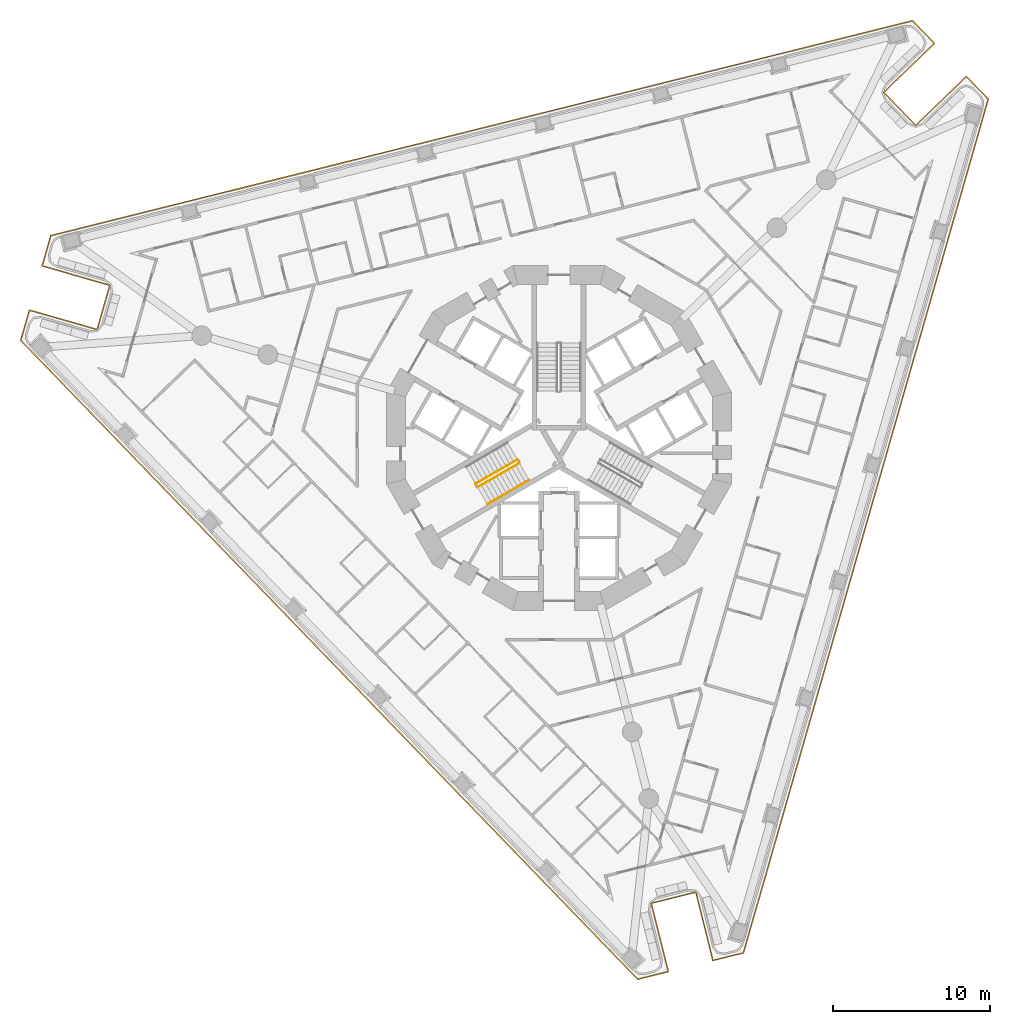
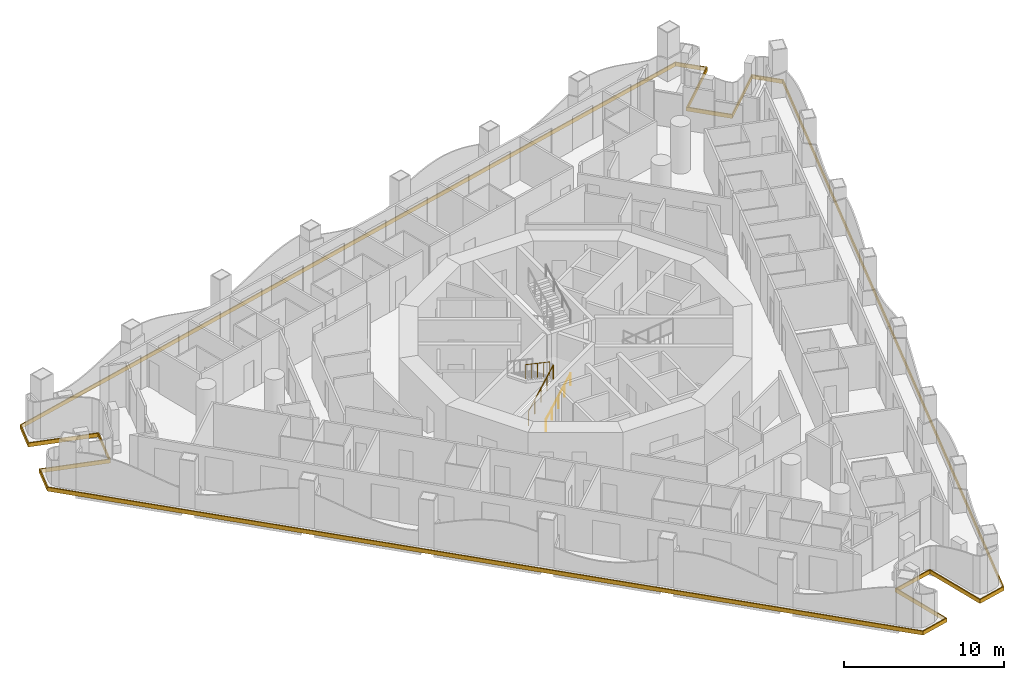
# One storey, part 14 of 20: 4 railings, 1 covering.
"""IFC4 building model written with IfcOpenShell, lengths in metres."""

from ifc_helpers import new_model, si_unit, direction, frame, origin, origin_2d, place, context, subcontext, project, spatial, polyline, circle, outline, extrude, material, layer, layer_set, type_object, element, save


model = new_model("IFC4")

# Units and contexts
model_context = context("Model", 3, precision=1e-05, world=origin(), true_north=direction((0.0, 1.0)))
body_context = subcontext(model_context, "Body", "Model", "MODEL_VIEW")
ifc_project = project(units=[si_unit("LENGTHUNIT", "METRE"), si_unit("AREAUNIT", "SQUARE_METRE"), si_unit("VOLUMEUNIT", "CUBIC_METRE"), si_unit("PLANEANGLEUNIT", "RADIAN"), si_unit("MASSUNIT", "GRAM", prefix="KILO")], contexts=[model_context])

# Site, building, storey
site_placement = place(None, origin())
site = spatial("IfcSite", under=ifc_project, at=site_placement, CompositionType="ELEMENT")
building_placement = place(site_placement, origin())
building = spatial("IfcBuilding", under=site, at=building_placement, Name="Trine Commons Tower", CompositionType="ELEMENT")
storey_placement = place(building_placement, frame((0.0, 0.0, 112.5)))
storey = spatial("IfcBuildingStorey", under=building, at=storey_placement, Name="L28", CompositionType="ELEMENT", Elevation=112.5)

# Covering
ifc_material_1 = material(Name="Limestone, honed", Category="masonry")
ifc_layer = layer(ifc_material_1, 0.074951171875)
ifc_layer_set = layer_set([ifc_layer], Name="Limestone, honed")
covering_type = type_object("IfcCoveringType", Name="Limestone spandrel panel 75", PredefinedType="CLADDING", material=ifc_layer_set)
covering_placement = place(storey_placement, frame((0.0, 0.0, -0.300048828125)))
element("IfcCovering", 1, at=covering_placement, inside=storey, type_object=covering_type, Name="Limestone spandrel panel 3-01", PredefinedType="CLADDING", context=body_context, shape_type="SweptSolid", body=[
    extrude(outline(polyline([(88.716064453125, 33.432373046875), (89.8046875, 29.06591796875), (91.8251953125, 29.56982421875), (107.478759765625, 84.159912109375), (106.031982421875, 85.657958984375), (102.795166015625, 82.531982421875), (100.815185546875, 84.58203125), (104.052490234375, 87.7080078125), (102.605712890625, 89.2060546875), (47.50244140625, 75.46728515625), (46.928466796875, 73.465576171875), (51.254150390625, 72.22509765625), (50.468505859375, 69.485595703125), (46.14306640625, 70.725830078125), (45.569091796875, 68.72412109375), (85.018798828125, 27.872802734375), (87.039306640625, 28.37646484375), (85.95068359375, 32.742919921875), (88.716064453125, 33.432373046875)]), holes=[polyline([(106.0302734375, 85.552001953125), (107.394775390625, 84.13916015625), (91.764892578125, 29.632080078125), (89.859375, 29.156982421875), (88.7705078125, 33.523193359375), (85.85986328125, 32.797607421875), (86.948486328125, 28.43115234375), (85.04248046875, 27.9560546875), (45.653076171875, 68.7451171875), (46.1943359375, 70.63330078125), (50.52001953125, 69.392822265625), (51.346923828125, 72.276611328125), (47.021240234375, 73.516845703125), (47.562744140625, 75.405029296875), (102.581787109375, 89.122802734375), (103.9462890625, 87.7099609375), (100.709228515625, 84.583984375), (102.793212890625, 82.426025390625), (106.0302734375, 85.552001953125)])]), origin(), (0.0, 0.0, 1.0), 0.300048828125),
])

# Railings
ifc_material_2 = material(Name="Stainless steel balustrade", Category="steel")
railing_type_1 = type_object("IfcRailingType", Name="Stair guard, steel balustrade 1100", PredefinedType="GUARDRAIL", material=ifc_material_2)
railing_1_placement = place(storey_placement, frame((74.80517578125, 59.3564453125, 0.14990234375)))
element("IfcRailing", 2, at=railing_1_placement, inside=storey, type_object=railing_type_1, Name="L28 ST2A stair guard 1", PredefinedType="GUARDRAIL", context=body_context, shape_type="SweptSolid", body=[
    extrude(circle(Radius=0.02392578125, at=origin_2d()), frame((0.0, 0.0, 1.076171875), z_axis=(0.763379768245, 0.440728498818, 0.472239049384), x_axis=(-0.499992328818, 0.866029832698, 0.0)), (0.0, 0.0, 1.0), 3.494384765625),
    extrude(circle(Radius=0.02099609375, at=origin_2d()), origin(), (0.0, 0.0, 1.0), 1.052001953125),
    extrude(circle(Radius=0.02099609375, at=origin_2d()), frame((0.6669921875, 0.385009765625, 0.41259765625)), (0.0, 0.0, 1.0), 1.052001953125),
    extrude(circle(Radius=0.02099609375, at=origin_2d()), frame((1.333740234375, 0.77001953125, 0.8251953125)), (0.0, 0.0, 1.0), 1.052001953125),
    extrude(circle(Radius=0.02099609375, at=origin_2d()), frame((2.00048828125, 1.155029296875, 1.237548828125)), (0.0, 0.0, 1.0), 1.052001953125),
    extrude(circle(Radius=0.02099609375, at=origin_2d()), frame((2.66748046875, 1.5400390625, 1.650146484375)), (0.0, 0.0, 1.0), 1.052001953125),
])
railing_2_placement = place(storey_placement, frame((77.34765625, 61.113037109375, 1.949951171875)))
element("IfcRailing", 3, at=railing_2_placement, inside=storey, type_object=railing_type_1, Name="L28 ST2A stair guard 3", PredefinedType="GUARDRAIL", context=body_context, shape_type="SweptSolid", body=[
    extrude(circle(Radius=0.02392578125, at=origin_2d()), frame((0.0, 0.0, 1.076171875), z_axis=(-0.763379768245, -0.440728498818, 0.472239049384), x_axis=(0.499992328818, -0.866029832698, 0.0)), (0.0, 0.0, 1.0), 3.494384765625),
    extrude(circle(Radius=0.02099609375, at=origin_2d()), origin(), (0.0, 0.0, 1.0), 1.052001953125),
    extrude(circle(Radius=0.02099609375, at=origin_2d()), frame((-0.6669921875, -0.385009765625, 0.41259765625)), (0.0, 0.0, 1.0), 1.052001953125),
    extrude(circle(Radius=0.02099609375, at=origin_2d()), frame((-1.333740234375, -0.77001953125, 0.8251953125)), (0.0, 0.0, 1.0), 1.052001953125),
    extrude(circle(Radius=0.02099609375, at=origin_2d()), frame((-2.00048828125, -1.155029296875, 1.237548828125)), (0.0, 0.0, 1.0), 1.052001953125),
    extrude(circle(Radius=0.02099609375, at=origin_2d()), frame((-2.66748046875, -1.5400390625, 1.650146484375)), (0.0, 0.0, 1.0), 1.052001953125),
])
ifc_material_3 = material(Name="Stainless steel handrail", Category="steel")
railing_type_2 = type_object("IfcRailingType", Name="Stair handrail, steel 900", PredefinedType="HANDRAIL", material=ifc_material_3)
railing_3_placement = place(storey_placement, frame((75.43017578125, 58.27392578125, 0.14990234375)))
element("IfcRailing", 4, at=railing_3_placement, inside=storey, type_object=railing_type_2, Name="L28 ST2A stair handrail 1", PredefinedType="HANDRAIL", context=body_context, shape_type="SweptSolid", body=[
    extrude(circle(Radius=0.02099609375, at=origin_2d()), frame((0.0, 0.0, 0.87890625), z_axis=(0.763354580307, 0.440713956853, 0.472293333596), x_axis=(-0.499992328818, 0.866029832698, 0.0)), (0.0, 0.0, 1.0), 1.747314453125),
    extrude(circle(Radius=0.01513671875, at=origin_2d()), origin(), (0.0, 0.0, 1.0), 0.85791015625),
    extrude(circle(Radius=0.01513671875, at=origin_2d()), frame((0.6669921875, 0.385009765625, 0.41259765625)), (0.0, 0.0, 1.0), 0.85791015625),
    extrude(circle(Radius=0.01513671875, at=origin_2d()), frame((1.333740234375, 0.77001953125, 0.8251953125)), (0.0, 0.0, 1.0), 0.85791015625),
])
railing_4_placement = place(storey_placement, frame((76.763916015625, 59.0439453125, 0.97509765625)))
element("IfcRailing", 5, at=railing_4_placement, inside=storey, type_object=railing_type_2, Name="L28 ST2A stair handrail 2", PredefinedType="HANDRAIL", context=body_context, shape_type="SweptSolid", body=[
    extrude(circle(Radius=0.02099609375, at=origin_2d()), frame((0.0, 0.0, 0.87890625), z_axis=(0.76340495495, 0.440743040072, 0.472184759798), x_axis=(-0.499992328818, 0.866029832698, 0.0)), (0.0, 0.0, 1.0), 1.7470703125),
    extrude(circle(Radius=0.01513671875, at=origin_2d()), origin(), (0.0, 0.0, 1.0), 0.85791015625),
    extrude(circle(Radius=0.01513671875, at=origin_2d()), frame((0.6669921875, 0.385009765625, 0.41259765625)), (0.0, 0.0, 1.0), 0.85791015625),
    extrude(circle(Radius=0.01513671875, at=origin_2d()), frame((1.333740234375, 0.77001953125, 0.824951171875)), (0.0, 0.0, 1.0), 0.85791015625),
])

save(model, "model.ifc")
